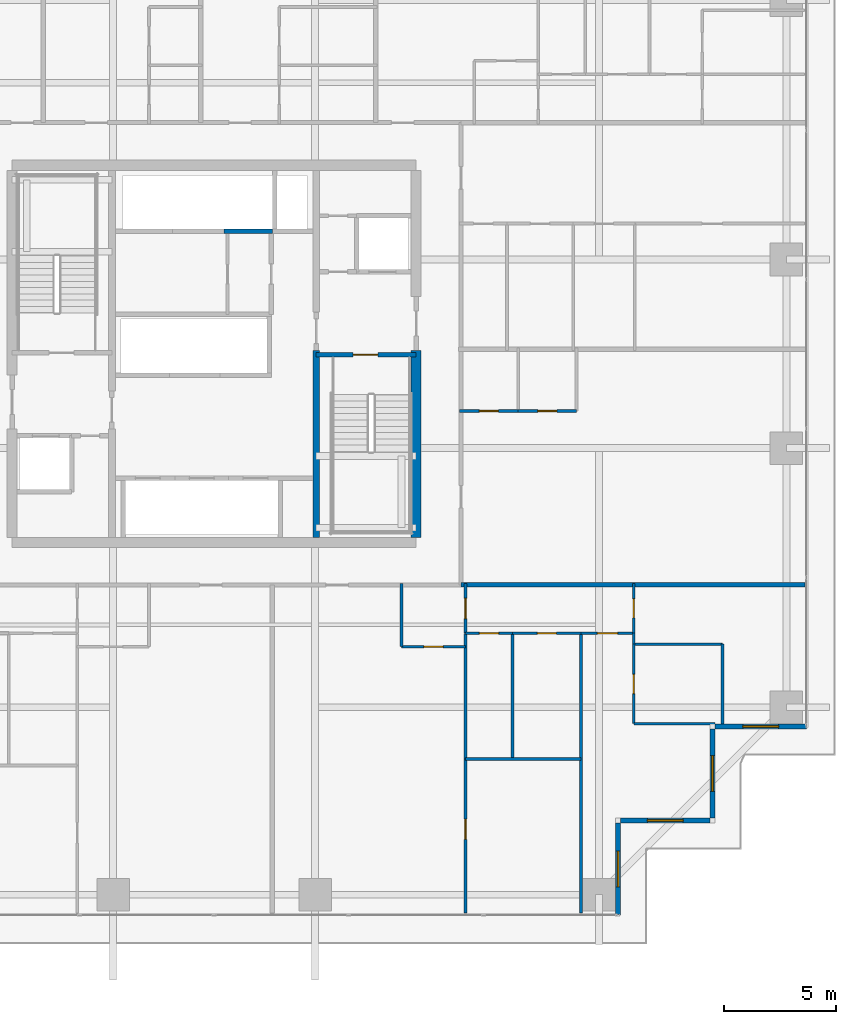
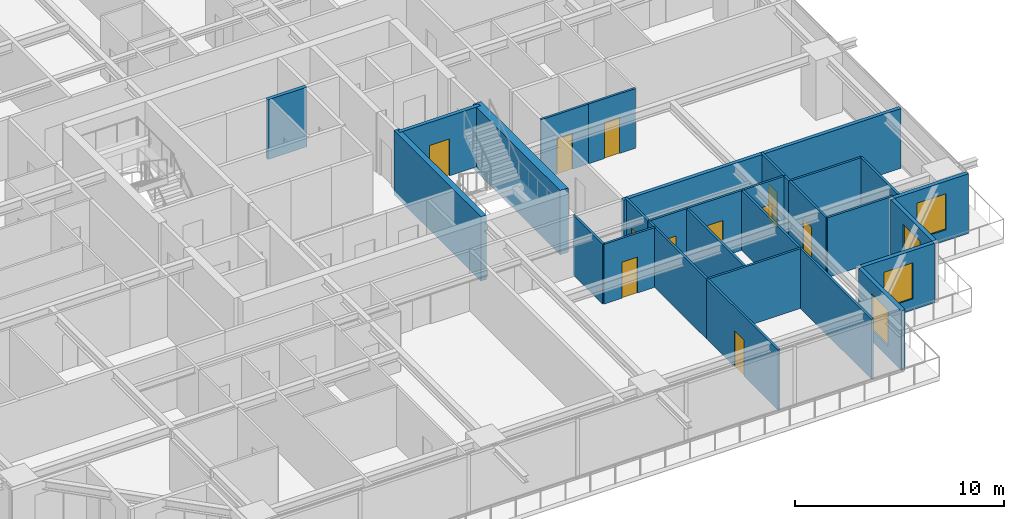
# One storey, part 24 of 34: 28 walls, 11 doors, 4 windows, 15 openings.
"""IFC4 building model written with IfcOpenShell, lengths in metres."""

from ifc_helpers import new_model, si_unit, direction, frame, frame_2d, origin, place, context, subcontext, project, spatial, rectangle, extrude, source, transform, mapped, material, layer, layer_set, type_object, element, fill, save


model = new_model("IFC4")

# Units and contexts
model_context = context("Model", 3, precision=1e-05, world=origin(), true_north=direction((0.0, 1.0)))
body_context = subcontext(model_context, "Body", "Model", "MODEL_VIEW")
ifc_project = project(units=[si_unit("LENGTHUNIT", "METRE"), si_unit("AREAUNIT", "SQUARE_METRE"), si_unit("VOLUMEUNIT", "CUBIC_METRE"), si_unit("PLANEANGLEUNIT", "RADIAN"), si_unit("MASSUNIT", "GRAM", prefix="KILO")], contexts=[model_context])

# Site, building, storey
site_placement = place(None, origin())
site = spatial("IfcSite", under=ifc_project, at=site_placement, CompositionType="ELEMENT")
building_placement = place(site_placement, origin())
building = spatial("IfcBuilding", under=site, at=building_placement, Name="Serunith Strait Residences", CompositionType="ELEMENT")
storey_placement = place(building_placement, frame((0.0, 0.0, 101.699951171875)))
storey = spatial("IfcBuildingStorey", under=building, at=storey_placement, Name="L25", CompositionType="ELEMENT", Elevation=101.699951171875)

# Wall, opening, window
ifc_material_1 = material(Name="Pale-Champagne Aluminium Insulated Panel", Category="aluminium")
ifc_layer_1 = layer(ifc_material_1, 0.219970703125, Name="Pale-Champagne Aluminium Insulated Panel")
ifc_layer_set_1 = layer_set([ifc_layer_1], Name="Pale-Champagne Aluminium Insulated Panel")
wall_type_1 = type_object("IfcWallType", Name="EW-ALUM-220", PredefinedType="ELEMENTEDWALL", material=ifc_layer_set_1)
wall_1_placement = place(storey_placement, frame((50.39990234375, 0.199951171875, 0.0), z_axis=(0.0, 0.0, 1.0), x_axis=(0.0, 1.0, 0.0)))
wall_1 = element("IfcWall", 1, at=wall_1_placement, inside=storey, type_object=wall_type_1, Name="L25 Girih Serrated Corner Wall 02", PredefinedType="ELEMENTEDWALL", context=body_context, shape_type="SweptSolid", body=[
    extrude(rectangle(XDim=4.090087890625, YDim=0.219970703125, at=frame_2d((2.044921875, 0.0))), origin(), (0.0, 0.0, 1.0), 3.47509765625),
])
opening_1_placement = place(wall_1_placement, frame((1.2451171875, 0.0, 0.64990234375)))
opening_1 = element("IfcOpeningElement", 2, at=opening_1_placement, cuts=wall_1, Name="Opening W-02", PredefinedType="OPENING", context=body_context, shape_type="SweptSolid", body=[
    extrude(rectangle(XDim=1.60009765625, YDim=2.10009765625, at=frame_2d((0.800048828125, 1.050048828125))), frame((0.0, 0.1201171875, 0.0), z_axis=(0.0, -1.0, 0.0), x_axis=(1.0, 0.0, 0.0)), (0.0, 0.0, 1.0), 0.239990234375),
])
ifc_material_2 = material(Name="Ceramic-Fritted Operable Aluminium Window Glass", Category="aluminium")
window_type = type_object("IfcWindowType", Name="WIN-C2", PartitioningType="DOUBLE_PANEL_VERTICAL", PredefinedType="WINDOW", material=ifc_material_2)
shared_shape_1 = source(origin(), body_context, "Body", "SweptSolid", [
    extrude(rectangle(XDim=1.60009765625, YDim=2.10009765625, at=frame_2d((0.800048828125, 1.050048828125))), frame((0.0, 0.030029296875, 0.0), z_axis=(0.0, -1.0, 0.0), x_axis=(1.0, 0.0, 0.0)), (0.0, 0.0, 1.0), 0.06005859375),
])
window_1_placement = place(opening_1_placement, origin())
window_1 = element("IfcWindow", 3, at=window_1_placement, inside=storey, type_object=window_type, Name="L25 Corner Operable Fritted Window 02", OverallHeight=2.10009765625, OverallWidth=1.60009765625, PartitioningType="SINGLE_PANEL", PredefinedType="WINDOW", context=body_context, shape_type="MappedRepresentation", body=[
    mapped(shared_shape_1, transform((0.0, 0.0, 0.0), scale=1.0)),
])
fill(opening_1, window_1)

wall_2_placement = place(storey_placement, frame((50.510009765625, 4.39990234375, 0.0), z_axis=(0.0, 0.0, 1.0), x_axis=(1.0, 0.0, 0.0)))
wall_2 = element("IfcWall", 4, at=wall_2_placement, inside=storey, type_object=wall_type_1, Name="L25 Girih Serrated Corner Wall 03", PredefinedType="ELEMENTEDWALL", context=body_context, shape_type="SweptSolid", body=[
    extrude(rectangle(XDim=3.97998046875, YDim=0.219970703125, at=frame_2d((1.989990234375, 0.0))), origin(), (0.0, 0.0, 1.0), 3.47509765625),
])
opening_2_placement = place(wall_2_placement, frame((1.18994140625, 0.0, 0.64990234375)))
opening_2 = element("IfcOpeningElement", 5, at=opening_2_placement, cuts=wall_2, Name="Opening W-02", PredefinedType="OPENING", context=body_context, shape_type="SweptSolid", body=[
    extrude(rectangle(XDim=1.60009765625, YDim=2.10009765625, at=frame_2d((0.800048828125, 1.050048828125))), frame((0.0, 0.1201171875, 0.0), z_axis=(0.0, -1.0, 0.0), x_axis=(1.0, 0.0, 0.0)), (0.0, 0.0, 1.0), 0.239990234375),
])
window_2_placement = place(opening_2_placement, origin())
window_2 = element("IfcWindow", 6, at=window_2_placement, inside=storey, type_object=window_type, Name="L25 Corner Operable Fritted Window 03", OverallHeight=2.10009765625, OverallWidth=1.60009765625, PartitioningType="SINGLE_PANEL", PredefinedType="WINDOW", context=body_context, shape_type="MappedRepresentation", body=[
    mapped(shared_shape_1, transform((0.0, 0.0, 0.0), scale=1.0)),
])
fill(opening_2, window_2)

wall_3_placement = place(storey_placement, frame((54.60009765625, 4.510009765625, 0.0), z_axis=(0.0, 0.0, 1.0), x_axis=(0.0, 1.0, 0.0)))
wall_3 = element("IfcWall", 7, at=wall_3_placement, inside=storey, type_object=wall_type_1, Name="L25 Girih Serrated Corner Wall 04", PredefinedType="ELEMENTEDWALL", context=body_context, shape_type="SweptSolid", body=[
    extrude(rectangle(XDim=3.97998046875, YDim=0.219970703125, at=frame_2d((1.989990234375, 0.0))), origin(), (0.0, 0.0, 1.0), 3.47509765625),
])
opening_3_placement = place(wall_3_placement, frame((1.18994140625, 0.0, 0.64990234375)))
opening_3 = element("IfcOpeningElement", 8, at=opening_3_placement, cuts=wall_3, Name="Opening W-02", PredefinedType="OPENING", context=body_context, shape_type="SweptSolid", body=[
    extrude(rectangle(XDim=1.60009765625, YDim=2.10009765625, at=frame_2d((0.800048828125, 1.050048828125))), frame((0.0, 0.1201171875, 0.0), z_axis=(0.0, -1.0, 0.0), x_axis=(1.0, 0.0, 0.0)), (0.0, 0.0, 1.0), 0.239990234375),
])
window_3_placement = place(opening_3_placement, origin())
window_3 = element("IfcWindow", 9, at=window_3_placement, inside=storey, type_object=window_type, Name="L25 Corner Operable Fritted Window 04", OverallHeight=2.10009765625, OverallWidth=1.60009765625, PartitioningType="SINGLE_PANEL", PredefinedType="WINDOW", context=body_context, shape_type="MappedRepresentation", body=[
    mapped(shared_shape_1, transform((0.0, 0.0, 0.0), scale=1.0)),
])
fill(opening_3, window_3)

wall_4_placement = place(storey_placement, frame((54.7099609375, 8.60009765625, 0.0), z_axis=(0.0, 0.0, 1.0), x_axis=(1.0, 0.0, 0.0)))
wall_4 = element("IfcWall", 10, at=wall_4_placement, inside=storey, type_object=wall_type_1, Name="L25 Girih Serrated Corner Wall 05", PredefinedType="ELEMENTEDWALL", context=body_context, shape_type="SweptSolid", body=[
    extrude(rectangle(XDim=4.090087890625, YDim=0.219970703125, at=frame_2d((2.044921875, 0.0))), origin(), (0.0, 0.0, 1.0), 3.47509765625),
])
opening_4_placement = place(wall_4_placement, frame((1.2451171875, 0.0, 0.64990234375)))
opening_4 = element("IfcOpeningElement", 11, at=opening_4_placement, cuts=wall_4, Name="Opening W-02", PredefinedType="OPENING", context=body_context, shape_type="SweptSolid", body=[
    extrude(rectangle(XDim=1.60009765625, YDim=2.10009765625, at=frame_2d((0.800048828125, 1.050048828125))), frame((0.0, 0.1201171875, 0.0), z_axis=(0.0, -1.0, 0.0), x_axis=(1.0, 0.0, 0.0)), (0.0, 0.0, 1.0), 0.239990234375),
])
window_4_placement = place(opening_4_placement, origin())
window_4 = element("IfcWindow", 12, at=window_4_placement, inside=storey, type_object=window_type, Name="L25 Corner Operable Fritted Window 05", OverallHeight=2.10009765625, OverallWidth=1.60009765625, PartitioningType="SINGLE_PANEL", PredefinedType="WINDOW", context=body_context, shape_type="MappedRepresentation", body=[
    mapped(shared_shape_1, transform((0.0, 0.0, 0.0), scale=1.0)),
])
fill(opening_4, window_4)

# Wall, opening, door
ifc_material_3 = material(Name="Lightweight steel-stud gypsum partition", Category="steel")
ifc_layer_2 = layer(ifc_material_3, 0.1201171875, Name="Lightweight steel-stud gypsum partition")
ifc_layer_set_2 = layer_set([ifc_layer_2], Name="Lightweight steel-stud gypsum partition")
wall_type_2 = type_object("IfcWallType", Name="IW-PART-120", PredefinedType="PARTITIONING", material=ifc_layer_set_2)
wall_5_placement = place(storey_placement, frame((40.75, 12.14990234375, 0.0), z_axis=(0.0, 0.0, 1.0), x_axis=(1.0, 0.0, 0.0)))
wall_5 = element("IfcWall", 13, at=wall_5_placement, inside=storey, type_object=wall_type_2, Name="L25 Partition Wall 045", PredefinedType="PARTITIONING", context=body_context, shape_type="SweptSolid", body=[
    extrude(rectangle(XDim=2.85009765625, YDim=0.1201171875, at=frame_2d((1.425048828125, 0.0))), origin(), (0.0, 0.0, 1.0), 3.489990234375),
])
opening_5_placement = place(wall_5_placement, frame((1.0, 0.0, 0.0)))
opening_5 = element("IfcOpeningElement", 14, at=opening_5_placement, cuts=wall_5, Name="Opening D-RM850", PredefinedType="OPENING", context=body_context, shape_type="SweptSolid", body=[
    extrude(rectangle(XDim=0.85009765625, YDim=2.10009765625, at=frame_2d((0.425048828125, 1.050048828125))), frame((0.0, 0.070068359375, 0.0), z_axis=(0.0, -1.0, 0.0), x_axis=(1.0, 0.0, 0.0)), (0.0, 0.0, 1.0), 0.14013671875),
])
ifc_material_4 = material(Name="Engineered timber flush study and kitchen door", Category="wood")
door_type_1 = type_object("IfcDoorType", Name="ID-ROOM-850", OperationType="NOTDEFINED", PredefinedType="DOOR", material=ifc_material_4)
shared_shape_2 = source(origin(), body_context, "Body", "SweptSolid", [
    extrude(rectangle(XDim=0.85009765625, YDim=2.10009765625, at=frame_2d((0.425048828125, 1.050048828125))), frame((0.0, 0.02490234375, 0.0), z_axis=(0.0, -1.0, 0.0), x_axis=(1.0, 0.0, 0.0)), (0.0, 0.0, 1.0), 0.050048828125),
])
door_1_placement = place(opening_5_placement, origin())
door_1 = element("IfcDoor", 15, at=door_1_placement, inside=storey, type_object=door_type_1, Name="L25 Kitchen 2502 Door", OperationType="SINGLE_SWING_RIGHT", OverallHeight=2.10009765625, OverallWidth=0.85009765625, PredefinedType="DOOR", context=body_context, shape_type="MappedRepresentation", body=[
    mapped(shared_shape_2, transform((0.0, 0.0, 0.0), scale=1.0)),
])
fill(opening_5, door_1)

# Wall
wall_6_placement = place(storey_placement, frame((40.75, 12.14990234375, 0.0), z_axis=(0.0, 0.0, 1.0), x_axis=(0.0, 1.0, 0.0)))
element("IfcWall", 16, at=wall_6_placement, inside=storey, type_object=wall_type_2, Name="L25 Partition Wall 046", PredefinedType="PARTITIONING", context=body_context, shape_type="SweptSolid", body=[
    extrude(rectangle(XDim=2.81005859375, YDim=0.1201171875, at=frame_2d((1.405029296875, 0.0))), origin(), (0.0, 0.0, 1.0), 3.489990234375),
])

# Wall, opening, door
wall_7_placement = place(storey_placement, frame((43.60009765625, 12.75, 0.0), z_axis=(0.0, 0.0, 1.0), x_axis=(0.0, 1.0, 0.0)))
wall_7 = element("IfcWall", 17, at=wall_7_placement, inside=storey, type_object=wall_type_2, Name="L25 Partition Wall 047", PredefinedType="PARTITIONING", context=body_context, shape_type="SweptSolid", body=[
    extrude(rectangle(XDim=2.2099609375, YDim=0.1201171875, at=frame_2d((1.10498046875, 0.0))), origin(), (0.0, 0.0, 1.0), 3.489990234375),
])
opening_6_placement = place(wall_7_placement, frame((0.655029296875, 0.0, 0.0)))
opening_6 = element("IfcOpeningElement", 18, at=opening_6_placement, cuts=wall_7, Name="Opening D-RM900", PredefinedType="OPENING", context=body_context, shape_type="SweptSolid", body=[
    extrude(rectangle(XDim=0.89990234375, YDim=2.10009765625, at=frame_2d((0.449951171875, 1.050048828125))), frame((0.0, 0.070068359375, 0.0), z_axis=(0.0, -1.0, 0.0), x_axis=(1.0, 0.0, 0.0)), (0.0, 0.0, 1.0), 0.14013671875),
])
ifc_material_5 = material(Name="Engineered timber flush bedroom door", Category="wood")
door_type_2 = type_object("IfcDoorType", Name="ID-ROOM-900", OperationType="NOTDEFINED", PredefinedType="DOOR", material=ifc_material_5)
shared_shape_3 = source(origin(), body_context, "Body", "SweptSolid", [
    extrude(rectangle(XDim=0.89990234375, YDim=2.10009765625, at=frame_2d((0.449951171875, 1.050048828125))), frame((0.0, 0.02490234375, 0.0), z_axis=(0.0, -1.0, 0.0), x_axis=(1.0, 0.0, 0.0)), (0.0, 0.0, 1.0), 0.050048828125),
])
door_2_placement = place(opening_6_placement, origin())
door_2 = element("IfcDoor", 19, at=door_2_placement, inside=storey, type_object=door_type_2, Name="L25 Hall E 2502 Door", OperationType="SINGLE_SWING_LEFT", OverallHeight=2.10009765625, OverallWidth=0.89990234375, PredefinedType="DOOR", context=body_context, shape_type="MappedRepresentation", body=[
    mapped(shared_shape_3, transform((0.0, 0.0, 0.0), scale=1.0)),
])
fill(opening_6, door_2)

wall_8_placement = place(storey_placement, frame((43.60009765625, 0.294921875, 0.0), z_axis=(0.0, 0.0, 1.0), x_axis=(0.0, 1.0, 0.0)))
wall_8 = element("IfcWall", 20, at=wall_8_placement, inside=storey, type_object=wall_type_2, Name="L25 Partition Wall 048", PredefinedType="PARTITIONING", context=body_context, shape_type="SweptSolid", body=[
    extrude(rectangle(XDim=6.85107421875, YDim=0.1201171875, at=frame_2d((3.425537109375, 0.0))), origin(), (0.0, 0.0, 1.0), 3.489990234375),
])
opening_7_placement = place(wall_8_placement, frame((3.27294921875, 0.0, 0.0)))
opening_7 = element("IfcOpeningElement", 21, at=opening_7_placement, cuts=wall_8, Name="Opening D-RM900", PredefinedType="OPENING", context=body_context, shape_type="SweptSolid", body=[
    extrude(rectangle(XDim=0.89990234375, YDim=2.10009765625, at=frame_2d((0.449951171875, 1.050048828125))), frame((0.0, 0.070068359375, 0.0), z_axis=(0.0, -1.0, 0.0), x_axis=(1.0, 0.0, 0.0)), (0.0, 0.0, 1.0), 0.14013671875),
])
door_3_placement = place(opening_7_placement, origin())
door_3 = element("IfcDoor", 22, at=door_3_placement, inside=storey, type_object=door_type_2, Name="L25 Formal Dining Room 1 2502 Door", OperationType="SINGLE_SWING_RIGHT", OverallHeight=2.10009765625, OverallWidth=0.89990234375, PredefinedType="DOOR", context=body_context, shape_type="MappedRepresentation", body=[
    mapped(shared_shape_3, transform((0.0, 0.0, 0.0), scale=1.0)),
])
fill(opening_7, door_3)

# Walls
wall_9_placement = place(storey_placement, frame((43.60009765625, 7.14794921875, 0.0), z_axis=(0.0, 0.0, 1.0), x_axis=(0.0, 1.0, 0.0)))
element("IfcWall", 23, at=wall_9_placement, inside=storey, type_object=wall_type_2, Name="L25 Partition Wall 049", PredefinedType="PARTITIONING", context=body_context, shape_type="SweptSolid", body=[
    extrude(rectangle(XDim=5.60009765625, YDim=0.1201171875, at=frame_2d((2.800048828125, 0.0))), origin(), (0.0, 0.0, 1.0), 3.489990234375),
])
wall_10_placement = place(storey_placement, frame((43.60009765625, 7.14599609375, 0.0), z_axis=(0.0, 0.0, 1.0), x_axis=(1.0, 0.0, 0.0)))
element("IfcWall", 24, at=wall_10_placement, inside=storey, type_object=wall_type_2, Name="L25 Partition Wall 050", PredefinedType="PARTITIONING", context=body_context, shape_type="SweptSolid", body=[
    extrude(rectangle(XDim=5.14990234375, YDim=0.1201171875, at=frame_2d((2.574951171875, 0.0))), origin(), (0.0, 0.0, 1.0), 3.489990234375),
])
wall_11_placement = place(storey_placement, frame((48.75, 0.294921875, 0.0), z_axis=(0.0, 0.0, 1.0), x_axis=(0.0, 1.0, 0.0)))
element("IfcWall", 25, at=wall_11_placement, inside=storey, type_object=wall_type_2, Name="L25 Partition Wall 051", PredefinedType="PARTITIONING", context=body_context, shape_type="SweptSolid", body=[
    extrude(rectangle(XDim=12.455078125, YDim=0.1201171875, at=frame_2d((6.2275390625, 0.0))), origin(), (0.0, 0.0, 1.0), 3.489990234375),
])
wall_12_placement = place(storey_placement, frame((45.699951171875, 7.14599609375, 0.0), z_axis=(0.0, 0.0, 1.0), x_axis=(0.0, 1.0, 0.0)))
element("IfcWall", 26, at=wall_12_placement, inside=storey, type_object=wall_type_2, Name="L25 Partition Wall 052", PredefinedType="PARTITIONING", context=body_context, shape_type="SweptSolid", body=[
    extrude(rectangle(XDim=5.60400390625, YDim=0.1201171875, at=frame_2d((2.802001953125, 0.0))), origin(), (0.0, 0.0, 1.0), 3.489990234375),
])

# Wall, opening, door
wall_13_placement = place(storey_placement, frame((43.60009765625, 12.75, 0.0), z_axis=(0.0, 0.0, 1.0), x_axis=(1.0, 0.0, 0.0)))
wall_13 = element("IfcWall", 27, at=wall_13_placement, inside=storey, type_object=wall_type_2, Name="L25 Partition Wall 053", PredefinedType="PARTITIONING", context=body_context, shape_type="SweptSolid", body=[
    extrude(rectangle(XDim=2.099853515625, YDim=0.1201171875, at=frame_2d((1.0498046875, 0.0))), origin(), (0.0, 0.0, 1.0), 3.489990234375),
])
opening_8_placement = place(wall_13_placement, frame((0.625, 0.0, 0.0)))
opening_8 = element("IfcOpeningElement", 28, at=opening_8_placement, cuts=wall_13, Name="Opening D-BTH850", PredefinedType="OPENING", context=body_context, shape_type="SweptSolid", body=[
    extrude(rectangle(XDim=0.85009765625, YDim=2.10009765625, at=frame_2d((0.425048828125, 1.050048828125))), frame((0.0, 0.070068359375, 0.0), z_axis=(0.0, -1.0, 0.0), x_axis=(1.0, 0.0, 0.0)), (0.0, 0.0, 1.0), 0.14013671875),
])
ifc_material_6 = material(Name="Moisture-resistant timber bathroom door", Category="wood")
door_type_3 = type_object("IfcDoorType", Name="ID-BATH-850", OperationType="NOTDEFINED", PredefinedType="DOOR", material=ifc_material_6)
door_4_placement = place(opening_8_placement, origin())
door_4 = element("IfcDoor", 29, at=door_4_placement, inside=storey, type_object=door_type_3, Name="L25 Bathroom 2502 Door", OperationType="SINGLE_SWING_LEFT", OverallHeight=2.10009765625, OverallWidth=0.85009765625, PredefinedType="DOOR", context=body_context, shape_type="MappedRepresentation", body=[
    mapped(shared_shape_2, transform((0.0, 0.0, 0.0), scale=1.0)),
])
fill(opening_8, door_4)

wall_14_placement = place(storey_placement, frame((45.701904296875, 12.75, 0.0), z_axis=(0.0, 0.0, 1.0), x_axis=(1.0, 0.0, 0.0)))
wall_14 = element("IfcWall", 30, at=wall_14_placement, inside=storey, type_object=wall_type_2, Name="L25 Partition Wall 054", PredefinedType="PARTITIONING", context=body_context, shape_type="SweptSolid", body=[
    extrude(rectangle(XDim=3.048095703125, YDim=0.1201171875, at=frame_2d((1.52392578125, 0.0))), origin(), (0.0, 0.0, 1.0), 3.489990234375),
])
opening_9_placement = place(wall_14_placement, frame((1.09912109375, 0.0, 0.0)))
opening_9 = element("IfcOpeningElement", 31, at=opening_9_placement, cuts=wall_14, Name="Opening D-RM850", PredefinedType="OPENING", context=body_context, shape_type="SweptSolid", body=[
    extrude(rectangle(XDim=0.85009765625, YDim=2.10009765625, at=frame_2d((0.425048828125, 1.050048828125))), frame((0.0, 0.070068359375, 0.0), z_axis=(0.0, -1.0, 0.0), x_axis=(1.0, 0.0, 0.0)), (0.0, 0.0, 1.0), 0.14013671875),
])
door_5_placement = place(opening_9_placement, origin())
door_5 = element("IfcDoor", 32, at=door_5_placement, inside=storey, type_object=door_type_1, Name="L25 Formal Dining Room 2502 Door", OperationType="SINGLE_SWING_RIGHT", OverallHeight=2.10009765625, OverallWidth=0.85009765625, PredefinedType="DOOR", context=body_context, shape_type="MappedRepresentation", body=[
    mapped(shared_shape_2, transform((0.0, 0.0, 0.0), scale=1.0)),
])
fill(opening_9, door_5)

wall_15_placement = place(storey_placement, frame((48.751953125, 12.75, 0.0), z_axis=(0.0, 0.0, 1.0), x_axis=(1.0, 0.0, 0.0)))
wall_15 = element("IfcWall", 33, at=wall_15_placement, inside=storey, type_object=wall_type_2, Name="L25 Partition Wall 055", PredefinedType="PARTITIONING", context=body_context, shape_type="SweptSolid", body=[
    extrude(rectangle(XDim=2.34814453125, YDim=0.1201171875, at=frame_2d((1.174072265625, 0.0))), origin(), (0.0, 0.0, 1.0), 3.489990234375),
])
opening_10_placement = place(wall_15_placement, frame((0.72412109375, 0.0, 0.0)))
opening_10 = element("IfcOpeningElement", 34, at=opening_10_placement, cuts=wall_15, Name="Opening D-RM900", PredefinedType="OPENING", context=body_context, shape_type="SweptSolid", body=[
    extrude(rectangle(XDim=0.89990234375, YDim=2.10009765625, at=frame_2d((0.449951171875, 1.050048828125))), frame((0.0, 0.070068359375, 0.0), z_axis=(0.0, -1.0, 0.0), x_axis=(1.0, 0.0, 0.0)), (0.0, 0.0, 1.0), 0.14013671875),
])
door_6_placement = place(opening_10_placement, origin())
door_6 = element("IfcDoor", 35, at=door_6_placement, inside=storey, type_object=door_type_2, Name="L25 Master Bedroom E 2502 Door", OperationType="SINGLE_SWING_LEFT", OverallHeight=2.10009765625, OverallWidth=0.89990234375, PredefinedType="DOOR", context=body_context, shape_type="MappedRepresentation", body=[
    mapped(shared_shape_3, transform((0.0, 0.0, 0.0), scale=1.0)),
])
fill(opening_10, door_6)

# Walls
wall_16_placement = place(storey_placement, frame((51.10009765625, 8.717041015625, 0.0), z_axis=(0.0, 0.0, 1.0), x_axis=(1.0, 0.0, 0.0)))
element("IfcWall", 36, at=wall_16_placement, inside=storey, type_object=wall_type_2, Name="L25 Partition Wall 056", PredefinedType="PARTITIONING", context=body_context, shape_type="SweptSolid", body=[
    extrude(rectangle(XDim=3.60791015625, YDim=0.1201171875, at=frame_2d((1.803955078125, 0.0))), origin(), (0.0, 0.0, 1.0), 3.489990234375),
])
wall_17_placement = place(storey_placement, frame((55.050048828125, 8.695068359375, 0.0), z_axis=(0.0, 0.0, 1.0), x_axis=(0.0, 1.0, 0.0)))
element("IfcWall", 37, at=wall_17_placement, inside=storey, type_object=wall_type_2, Name="L25 Partition Wall 057", PredefinedType="PARTITIONING", context=body_context, shape_type="SweptSolid", body=[
    extrude(rectangle(XDim=3.56591796875, YDim=0.1201171875, at=frame_2d((1.782958984375, 0.0))), origin(), (0.0, 0.0, 1.0), 3.489990234375),
])
wall_18_placement = place(storey_placement, frame((51.10009765625, 12.260986328125, 0.0), z_axis=(0.0, 0.0, 1.0), x_axis=(1.0, 0.0, 0.0)))
element("IfcWall", 38, at=wall_18_placement, inside=storey, type_object=wall_type_2, Name="L25 Partition Wall 058", PredefinedType="PARTITIONING", context=body_context, shape_type="SweptSolid", body=[
    extrude(rectangle(XDim=3.949951171875, YDim=0.1201171875, at=frame_2d((1.97509765625, 0.0))), origin(), (0.0, 0.0, 1.0), 3.489990234375),
])

# Wall, opening, door
wall_19_placement = place(storey_placement, frame((51.10009765625, 8.717041015625, 0.0), z_axis=(0.0, 0.0, 1.0), x_axis=(0.0, 1.0, 0.0)))
wall_19 = element("IfcWall", 39, at=wall_19_placement, inside=storey, type_object=wall_type_2, Name="L25 Partition Wall 059", PredefinedType="PARTITIONING", context=body_context, shape_type="SweptSolid", body=[
    extrude(rectangle(XDim=3.5439453125, YDim=0.1201171875, at=frame_2d((1.77197265625, 0.0))), origin(), (0.0, 0.0, 1.0), 3.489990234375),
])
opening_11_placement = place(wall_19_placement, frame((1.346923828125, 0.0, 0.0)))
opening_11 = element("IfcOpeningElement", 40, at=opening_11_placement, cuts=wall_19, Name="Opening D-BTH850", PredefinedType="OPENING", context=body_context, shape_type="SweptSolid", body=[
    extrude(rectangle(XDim=0.85009765625, YDim=2.10009765625, at=frame_2d((0.425048828125, 1.050048828125))), frame((0.0, 0.070068359375, 0.0), z_axis=(0.0, -1.0, 0.0), x_axis=(1.0, 0.0, 0.0)), (0.0, 0.0, 1.0), 0.14013671875),
])
door_7_placement = place(opening_11_placement, origin())
door_7 = element("IfcDoor", 41, at=door_7_placement, inside=storey, type_object=door_type_3, Name="L25 En-suite Bathroom E 2502 Door", OperationType="SINGLE_SWING_RIGHT", OverallHeight=2.10009765625, OverallWidth=0.85009765625, PredefinedType="DOOR", context=body_context, shape_type="MappedRepresentation", body=[
    mapped(shared_shape_2, transform((0.0, 0.0, 0.0), scale=1.0)),
])
fill(opening_11, door_7)

# Wall
wall_20_placement = place(storey_placement, frame((51.10009765625, 12.262939453125, 0.0), z_axis=(0.0, 0.0, 1.0), x_axis=(0.0, 1.0, 0.0)))
element("IfcWall", 42, at=wall_20_placement, inside=storey, type_object=wall_type_2, Name="L25 Partition Wall 060", PredefinedType="PARTITIONING", context=body_context, shape_type="SweptSolid", body=[
    extrude(rectangle(XDim=0.487060546875, YDim=0.1201171875, at=frame_2d((0.24365234375, 0.0))), origin(), (0.0, 0.0, 1.0), 3.489990234375),
])

# Wall, opening, door
wall_21_placement = place(storey_placement, frame((51.10009765625, 12.751953125, 0.0), z_axis=(0.0, 0.0, 1.0), x_axis=(0.0, 1.0, 0.0)))
wall_21 = element("IfcWall", 43, at=wall_21_placement, inside=storey, type_object=wall_type_2, Name="L25 Partition Wall 061", PredefinedType="PARTITIONING", context=body_context, shape_type="SweptSolid", body=[
    extrude(rectangle(XDim=2.2080078125, YDim=0.1201171875, at=frame_2d((1.10400390625, 0.0))), origin(), (0.0, 0.0, 1.0), 3.489990234375),
])
opening_12_placement = place(wall_21_placement, frame((0.678955078125, 0.0, 0.0)))
opening_12 = element("IfcOpeningElement", 44, at=opening_12_placement, cuts=wall_21, Name="Opening D-RM850", PredefinedType="OPENING", context=body_context, shape_type="SweptSolid", body=[
    extrude(rectangle(XDim=0.85009765625, YDim=2.10009765625, at=frame_2d((0.425048828125, 1.050048828125))), frame((0.0, 0.070068359375, 0.0), z_axis=(0.0, -1.0, 0.0), x_axis=(1.0, 0.0, 0.0)), (0.0, 0.0, 1.0), 0.14013671875),
])
door_8_placement = place(opening_12_placement, origin())
door_8 = element("IfcDoor", 45, at=door_8_placement, inside=storey, type_object=door_type_1, Name="L25 Wardrobe E 2502 Door", OperationType="SINGLE_SWING_LEFT", OverallHeight=2.10009765625, OverallWidth=0.85009765625, PredefinedType="DOOR", context=body_context, shape_type="MappedRepresentation", body=[
    mapped(shared_shape_2, transform((0.0, 0.0, 0.0), scale=1.0)),
])
fill(opening_12, door_8)

wall_22_placement = place(storey_placement, frame((48.550048828125, 22.64990234375, 0.0), z_axis=(0.0, 0.0, 1.0), x_axis=(-1.0, 0.0, 0.0)))
wall_22 = element("IfcWall", 46, at=wall_22_placement, inside=storey, type_object=wall_type_2, Name="L25 Partition Wall 116", PredefinedType="PARTITIONING", context=body_context, shape_type="SweptSolid", body=[
    extrude(rectangle(XDim=2.60009765625, YDim=0.1201171875, at=frame_2d((1.300048828125, 0.0))), origin(), (0.0, 0.0, 1.0), 3.489990234375),
])
opening_13_placement = place(wall_22_placement, frame((0.875, 0.0, 0.0)))
opening_13 = element("IfcOpeningElement", 47, at=opening_13_placement, cuts=wall_22, Name="Opening D-RM850", PredefinedType="OPENING", context=body_context, shape_type="SweptSolid", body=[
    extrude(rectangle(XDim=0.85009765625, YDim=2.10009765625, at=frame_2d((0.425048828125, 1.050048828125))), frame((0.0, 0.070068359375, 0.0), z_axis=(0.0, -1.0, 0.0), x_axis=(1.0, 0.0, 0.0)), (0.0, 0.0, 1.0), 0.14013671875),
])
door_9_placement = place(opening_13_placement, origin())
door_9 = element("IfcDoor", 48, at=door_9_placement, inside=storey, type_object=door_type_1, Name="L25 Kitchen 2508 Door", OperationType="SINGLE_SWING_RIGHT", OverallHeight=2.10009765625, OverallWidth=0.85009765625, PredefinedType="DOOR", context=body_context, shape_type="MappedRepresentation", body=[
    mapped(shared_shape_2, transform((0.0, 0.0, 0.0), scale=1.0)),
])
fill(opening_13, door_9)

wall_23_placement = place(storey_placement, frame((45.947998046875, 22.64990234375, 0.0), z_axis=(0.0, 0.0, 1.0), x_axis=(-1.0, 0.0, 0.0)))
wall_23 = element("IfcWall", 49, at=wall_23_placement, inside=storey, type_object=wall_type_2, Name="L25 Partition Wall 117", PredefinedType="PARTITIONING", context=body_context, shape_type="SweptSolid", body=[
    extrude(rectangle(XDim=2.60791015625, YDim=0.1201171875, at=frame_2d((1.303955078125, 0.0))), origin(), (0.0, 0.0, 1.0), 3.489990234375),
])
opening_14_placement = place(wall_23_placement, frame((0.87890625, 0.0, 0.0)))
opening_14 = element("IfcOpeningElement", 50, at=opening_14_placement, cuts=wall_23, Name="Opening D-BTH850", PredefinedType="OPENING", context=body_context, shape_type="SweptSolid", body=[
    extrude(rectangle(XDim=0.85009765625, YDim=2.10009765625, at=frame_2d((0.425048828125, 1.050048828125))), frame((0.0, 0.070068359375, 0.0), z_axis=(0.0, -1.0, 0.0), x_axis=(1.0, 0.0, 0.0)), (0.0, 0.0, 1.0), 0.14013671875),
])
door_10_placement = place(opening_14_placement, origin())
door_10 = element("IfcDoor", 51, at=door_10_placement, inside=storey, type_object=door_type_3, Name="L25 Bathroom 2508 Door", OperationType="SINGLE_SWING_LEFT", OverallHeight=2.10009765625, OverallWidth=0.85009765625, PredefinedType="DOOR", context=body_context, shape_type="MappedRepresentation", body=[
    mapped(shared_shape_2, transform((0.0, 0.0, 0.0), scale=1.0)),
])
fill(opening_14, door_10)

# Wall
ifc_material_7 = material(Name="Twin-stud acoustic gypsum board partition")
ifc_layer_3 = layer(ifc_material_7, 0.199951171875, Name="Twin-stud acoustic gypsum board partition")
ifc_layer_set_3 = layer_set([ifc_layer_3], Name="Twin-stud acoustic gypsum board partition")
wall_type_3 = type_object("IfcWallType", Name="IW-PARTY-200", PredefinedType="PARTITIONING", material=ifc_layer_set_3)
wall_24_placement = place(storey_placement, frame((43.39990234375, 14.89990234375, 0.0), z_axis=(0.0, 0.0, 1.0), x_axis=(1.0, 0.0, 0.0)))
element("IfcWall", 52, at=wall_24_placement, inside=storey, type_object=wall_type_3, Name="L25 Partition Wall 021", PredefinedType="PARTITIONING", context=body_context, shape_type="SweptSolid", body=[
    extrude(rectangle(XDim=15.318115234375, YDim=0.199951171875, at=frame_2d((7.6591796875, 0.0))), origin(), (0.0, 0.0, 1.0), 3.489990234375),
])

# Wall, opening, door
ifc_material_8 = material(Name="Autoclaved aerated concrete blockwork", Category="masonry")
ifc_layer_4 = layer(ifc_material_8, 0.199951171875, Name="Autoclaved aerated concrete blockwork")
ifc_layer_set_4 = layer_set([ifc_layer_4], Name="Autoclaved aerated concrete blockwork")
wall_type_4 = type_object("IfcWallType", Name="IW-SHAFT-200", PredefinedType="STANDARD", material=ifc_layer_set_4)
wall_25_placement = place(storey_placement, frame((36.949951171875, 25.14990234375, 0.0), z_axis=(0.0, 0.0, 1.0), x_axis=(1.0, 0.0, 0.0)))
wall_25 = element("IfcWall", 53, at=wall_25_placement, inside=storey, type_object=wall_type_4, Name="L25 ST-2 North Shaft Wall", PredefinedType="STANDARD", context=body_context, shape_type="SweptSolid", body=[
    extrude(rectangle(XDim=4.449951171875, YDim=0.199951171875, at=frame_2d((2.22509765625, 0.0))), origin(), (0.0, 0.0, 1.0), 3.489990234375),
])
opening_15_placement = place(wall_25_placement, frame((1.64990234375, 0.0, 0.0)))
opening_15 = element("IfcOpeningElement", 54, at=opening_15_placement, cuts=wall_25, Name="Opening FD-1100", PredefinedType="OPENING", context=body_context, shape_type="SweptSolid", body=[
    extrude(rectangle(XDim=1.10009765625, YDim=2.14990234375, at=frame_2d((0.550048828125, 1.074951171875))), frame((0.0, 0.10986328125, 0.0), z_axis=(0.0, -1.0, 0.0), x_axis=(1.0, 0.0, 0.0)), (0.0, 0.0, 1.0), 0.219970703125),
])
ifc_material_9 = material(Name="Galvanised steel fire door leaf", Category="steel")
door_type_4 = type_object("IfcDoorType", Name="FD-STAIR-1100", OperationType="NOTDEFINED", PredefinedType="DOOR", material=ifc_material_9)
shared_shape_4 = source(origin(), body_context, "Body", "SweptSolid", [
    extrude(rectangle(XDim=1.10009765625, YDim=2.14990234375, at=frame_2d((0.550048828125, 1.074951171875))), frame((0.0, 0.02490234375, 0.0), z_axis=(0.0, -1.0, 0.0), x_axis=(1.0, 0.0, 0.0)), (0.0, 0.0, 1.0), 0.050048828125),
])
door_11_placement = place(opening_15_placement, origin())
door_11 = element("IfcDoor", 55, at=door_11_placement, inside=storey, type_object=door_type_4, Name="L25 ST-2 Escape Stair Door", OperationType="SINGLE_SWING_RIGHT", OverallHeight=2.14990234375, OverallWidth=1.10009765625, PredefinedType="DOOR", context=body_context, shape_type="MappedRepresentation", body=[
    mapped(shared_shape_4, transform((0.0, 0.0, 0.0), scale=1.0)),
])
fill(opening_15, door_11)

# Walls
wall_26_placement = place(storey_placement, frame((32.85009765625, 30.64990234375, 0.0), z_axis=(0.0, 0.0, 1.0), x_axis=(1.0, 0.0, 0.0)))
element("IfcWall", 56, at=wall_26_placement, inside=storey, type_object=wall_type_4, Name="L25 PL-9 South Shaft Wall", PredefinedType="STANDARD", context=body_context, shape_type="SweptSolid", body=[
    extrude(rectangle(XDim=2.14990234375, YDim=0.199951171875, at=frame_2d((1.074951171875, 0.0))), origin(), (0.0, 0.0, 1.0), 3.489990234375),
])
ifc_material_10 = material(Name="Concrete C80/95", Category="concrete")
ifc_layer_5 = layer(ifc_material_10, 0.300048828125, Name="Concrete C80/95")
ifc_layer_set_5 = layer_set([ifc_layer_5], Name="Concrete C80/95")
wall_type_5 = type_object("IfcWallType", Name="SW-300-C80", PredefinedType="SHEAR", material=ifc_layer_set_5)
wall_27_placement = place(storey_placement, frame((36.949951171875, 17.02490234375, -0.260009765625), z_axis=(0.0, 0.0, 1.0), x_axis=(0.0, 1.0, 0.0)))
element("IfcWall", 57, at=wall_27_placement, inside=storey, type_object=wall_type_5, Name="L25 Core Internal East Web South Pier", PredefinedType="SHEAR", context=body_context, shape_type="SweptSolid", body=[
    extrude(rectangle(XDim=8.3251953125, YDim=0.300048828125, at=frame_2d((4.16259765625, 0.0))), origin(), (0.0, 0.0, 1.0), 3.748046875),
])
ifc_layer_6 = layer(ifc_material_10, 0.449951171875, Name="Concrete C80/95")
ifc_layer_set_6 = layer_set([ifc_layer_6], Name="Concrete C80/95")
wall_type_6 = type_object("IfcWallType", Name="SW-450-C80", PredefinedType="SHEAR", material=ifc_layer_set_6)
wall_28_placement = place(storey_placement, frame((41.39990234375, 17.02490234375, -0.260009765625), z_axis=(0.0, 0.0, 1.0), x_axis=(0.0, 1.0, 0.0)))
element("IfcWall", 58, at=wall_28_placement, inside=storey, type_object=wall_type_6, Name="L25 Core East Shear Wall South Pier", PredefinedType="SHEAR", context=body_context, shape_type="SweptSolid", body=[
    extrude(rectangle(XDim=8.3251953125, YDim=0.449951171875, at=frame_2d((4.16259765625, 0.0))), origin(), (0.0, 0.0, 1.0), 3.748046875),
])

save(model, "model.ifc")
